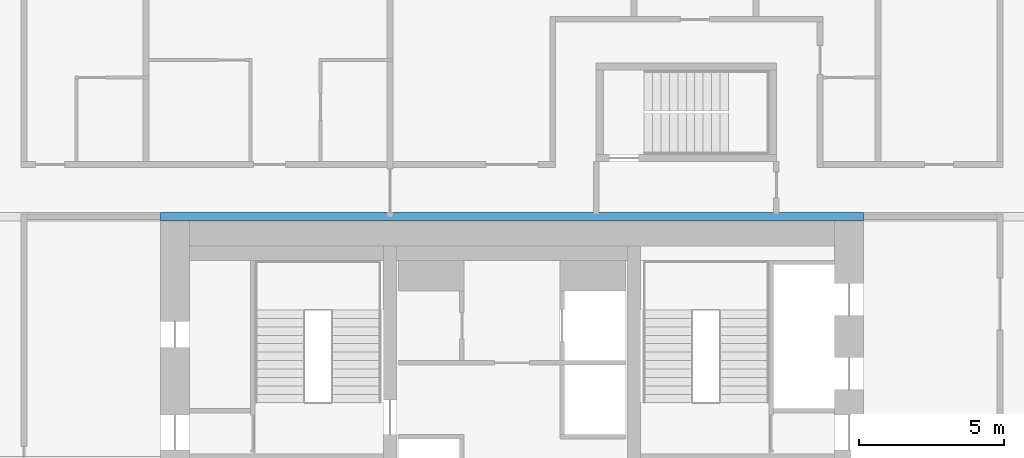
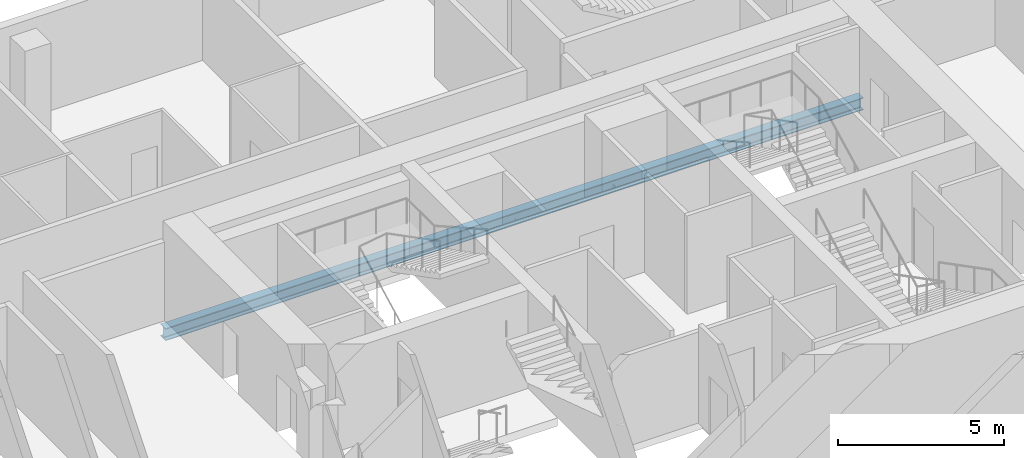
# One storey, part 9 of 23: 1 beam.
"""IFC4 building model written with IfcOpenShell, lengths in metres."""

from ifc_helpers import new_model, si_unit, direction, frame, origin, origin_2d, place, context, subcontext, project, spatial, i_section, extrude, material, material_profile, profile_set, type_object, element, save


model = new_model("IFC4")

# Units and contexts
model_context = context("Model", 3, precision=1e-05, world=origin(), true_north=direction((0.0, 1.0)))
body_context = subcontext(model_context, "Body", "Model", "MODEL_VIEW")
ifc_project = project(units=[si_unit("LENGTHUNIT", "METRE"), si_unit("AREAUNIT", "SQUARE_METRE"), si_unit("VOLUMEUNIT", "CUBIC_METRE"), si_unit("PLANEANGLEUNIT", "RADIAN"), si_unit("MASSUNIT", "GRAM", prefix="KILO")], contexts=[model_context])

# Site, building, storey
site_placement = place(None, origin())
site = spatial("IfcSite", under=ifc_project, at=site_placement, CompositionType="ELEMENT")
building_placement = place(site_placement, origin())
building = spatial("IfcBuilding", under=site, at=building_placement, Name="Marenta Gate Hotel Tower", CompositionType="ELEMENT")
storey_placement = place(building_placement, frame((0.0, 0.0, 126.5)))
storey = spatial("IfcBuildingStorey", under=building, at=storey_placement, Name="L28", CompositionType="ELEMENT", Elevation=126.5)

# Beam
ifc_material = material(Name="Steel S355", Category="steel")
ifc_material_profile = material_profile(ifc_material, i_section(OverallWidth=0.300048828125, OverallDepth=0.449951171875, WebThickness=0.013916015625, FlangeThickness=0.02587890625, FilletRadius=0.027099609375, at=origin_2d()), Name="HEB 450")
ifc_profile_set = profile_set([ifc_material_profile], Name="Steel S355")
beam_type = type_object("IfcBeamType", Name="Girder HEB 450", PredefinedType="BEAM", material=ifc_profile_set)
beam_placement = place(storey_placement, frame((-12.10009765625, 16.800048828125, -0.485107421875), z_axis=(1.0, 0.0, 0.0), x_axis=(0.0, 1.0, 0.0)))
element("IfcBeam", 1, at=beam_placement, inside=storey, type_object=beam_type, Name="L28-GD-26", PredefinedType="BEAM", context=body_context, shape_type="SweptSolid", body=[
    extrude(i_section(OverallWidth=0.300048828125, OverallDepth=0.449951171875, WebThickness=0.013916015625, FlangeThickness=0.02587890625, FilletRadius=0.027099609375, at=origin_2d()), origin(), (0.0, 0.0, 1.0), 24.2001953125),
])

save(model, "model.ifc")
